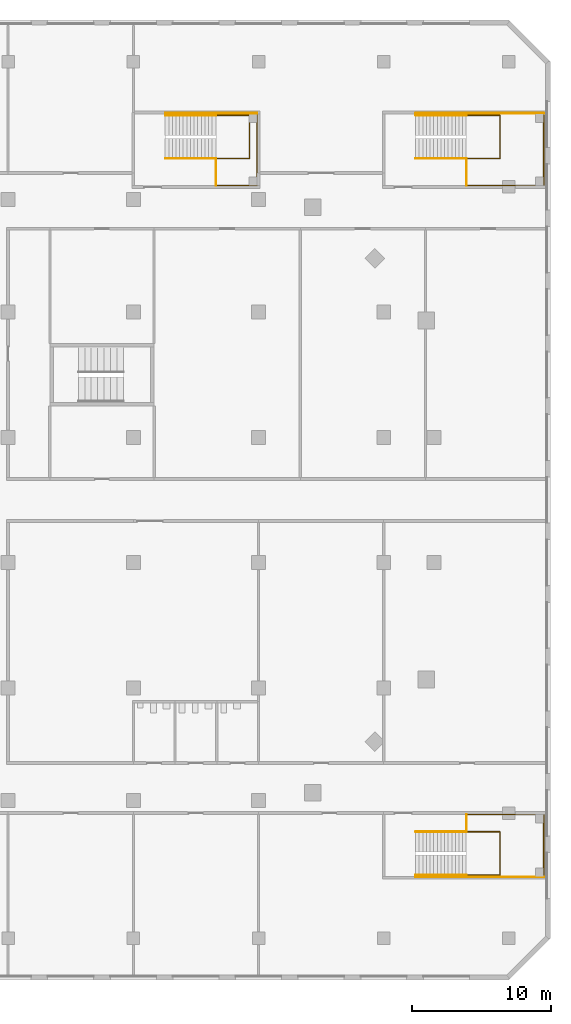
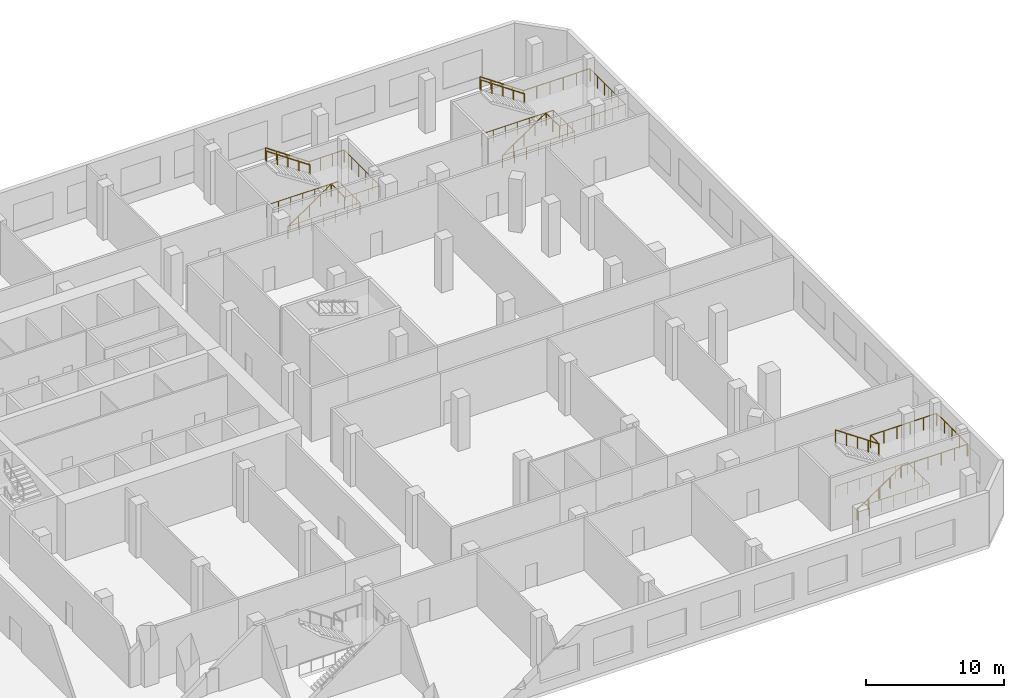
# One storey, part 22 of 23: 18 railings.
"""IFC4 building model written with IfcOpenShell, lengths in metres."""

import ifcopenshell
import ifcopenshell.guid

model = None  # the IFC model being written
_history = None  # IfcOwnerHistory: only IFC2X3 demands one
_inside = {}  # id of a spatial element -> (the spatial element, [elements in it])
_under = {}  # id of a project, library or spatial element -> (it, [spatial elements below it])
_declared = {}  # id of a project -> (the project, [libraries it declares])
_typed = {}  # id of a type object -> (the type object, [elements of that type])
_made_of = {}  # id of a material, layer set ... -> (it, [elements and type objects made of it])


def new_model(schema):
    """Start an empty IFC model of exactly this schema.

    Asked for "IFC4X3", IfcOpenShell would pick the latest addendum, in which some entities
    have other attributes; the version numbers below select the first issue.
    IFC2X3 requires an IfcOwnerHistory on every rooted entity: one is made here for all.
    """
    global model, _history
    if schema == "IFC4X3":
        model = ifcopenshell.file(schema_version=(4, 3, 0, 0))
    else:
        model = ifcopenshell.file(schema=schema)
    _inside.clear()
    _under.clear()
    _declared.clear()
    _typed.clear()
    _made_of.clear()
    _history = None
    if model.schema == "IFC2X3":
        org = make("IfcOrganization", Name="unknown")
        user = make(
            "IfcPersonAndOrganization",
            ThePerson=make("IfcPerson", FamilyName="unknown"),
            TheOrganization=org,
        )
        app = make(
            "IfcApplication",
            ApplicationDeveloper=org,
            Version="unknown",
            ApplicationFullName="unknown",
            ApplicationIdentifier="unknown",
        )
        _history = make(
            "IfcOwnerHistory",
            OwningUser=user,
            OwningApplication=app,
            ChangeAction="ADDED",
            CreationDate=0,
        )
    return model


def make(cls, **values):
    """One entity of the class cls with the attributes given. An attribute that is None is left unset."""
    return model.create_entity(
        cls, **{name: value for name, value in values.items() if value is not None}
    )


def rooted(cls, **values):
    """An entity with a GlobalId (a new one), such as an element, a storey or a relation."""
    return make(cls, GlobalId=ifcopenshell.guid.new(), OwnerHistory=_history, **values)


def si_unit(unit_type, name, prefix=None):
    """IfcSIUnit, for example si_unit("LENGTHUNIT", "METRE", prefix="MILLI")."""
    return make("IfcSIUnit", UnitType=unit_type, Prefix=prefix, Name=name)


def assignment(units):
    """IfcUnitAssignment: the units of a project."""
    return None if units is None else make("IfcUnitAssignment", Units=units)


def point(xyz):
    """IfcCartesianPoint."""
    return None if xyz is None else make("IfcCartesianPoint", Coordinates=xyz)


def direction(xyz):
    """IfcDirection."""
    return None if xyz is None else make("IfcDirection", DirectionRatios=xyz)


def frame(location, z_axis=None, x_axis=None):
    """IfcAxis2Placement3D, a coordinate frame: its origin and axes. An axis left out is left unset."""
    return make(
        "IfcAxis2Placement3D",
        Location=point(location),
        Axis=direction(z_axis),
        RefDirection=direction(x_axis),
    )


def frame_2d(location, x_axis=None):
    """IfcAxis2Placement2D, a coordinate frame in the plane: its origin and x axis."""
    return make(
        "IfcAxis2Placement2D", Location=point(location), RefDirection=direction(x_axis)
    )


def origin():
    """The frame at (0, 0, 0) with its axes left unset."""
    return frame((0.0, 0.0, 0.0))


def origin_2d():
    """The frame at (0, 0) in the plane with its x axis left unset."""
    return frame_2d((0.0, 0.0))


def place(relative_to, where):
    """IfcLocalPlacement: puts the frame where relative to a parent placement (None: the world)."""
    return make(
        "IfcLocalPlacement", PlacementRelTo=relative_to, RelativePlacement=where
    )


def context(
    kind, dimensions, precision=None, world=None, true_north=None, identifier=None
):
    """IfcGeometricRepresentationContext, for example the 3D "Model" context."""
    return make(
        "IfcGeometricRepresentationContext",
        ContextIdentifier=identifier,
        ContextType=kind,
        CoordinateSpaceDimension=dimensions,
        Precision=precision,
        WorldCoordinateSystem=world,
        TrueNorth=true_north,
    )


def subcontext(parent, identifier, kind, view, scale=None):
    """IfcGeometricRepresentationSubContext, for example "Body" below "Model"."""
    return make(
        "IfcGeometricRepresentationSubContext",
        ContextIdentifier=identifier,
        ContextType=kind,
        ParentContext=parent,
        TargetScale=scale,
        TargetView=view,
    )


def project(units=None, contexts=None):
    """IfcProject with its units and contexts."""
    return rooted(
        "IfcProject",
        Name="project",
        RepresentationContexts=contexts,
        UnitsInContext=assignment(units),
    )


def spatial(cls, under=None, at=None, **own):
    """A site, building, storey or space (cls), placed at a placement, below another one or the project."""
    s = rooted(cls, ObjectPlacement=at, **own)
    if under is not None:
        _under.setdefault(under.id(), (under, []))[1].append(s)
    return s


def profile(cls, at=None, kind="AREA", **sizes):
    """A parametric profile (cls). Its sizes go by their IFC names, for example OverallWidth=200.0."""
    return make(cls, ProfileType=kind, Position=at, **sizes)


def circle(**sizes):
    """IfcCircleProfileDef."""
    return profile("IfcCircleProfileDef", **sizes)


def extrude(swept, where, along, depth):
    """IfcExtrudedAreaSolid: the profile swept, set in the frame where, extruded along a direction by depth."""
    return make(
        "IfcExtrudedAreaSolid",
        SweptArea=swept,
        Position=where,
        ExtrudedDirection=direction(along),
        Depth=depth,
    )


def shape(context_of_items, identifier, shape_type, items):
    """IfcShapeRepresentation: the items that make up one representation, for example the "Body"."""
    return make(
        "IfcShapeRepresentation",
        ContextOfItems=context_of_items,
        RepresentationIdentifier=identifier,
        RepresentationType=shape_type,
        Items=items,
    )


def material(Name=None, Category=None):
    """IfcMaterial."""
    return make("IfcMaterial", Name=Name, Category=Category)


def made_of(thing, what):
    """Note that an element or type object is made of a material, layer set ...; save() writes the relation."""
    if what is not None:
        _made_of.setdefault(what.id(), (what, []))[1].append(thing)
    return thing


def type_object(cls, material=None, **own):
    """A type object (cls), such as IfcWallType, which elements share."""
    return made_of(rooted(cls, **own), material)


def element(
    cls,
    number,
    at=None,
    inside=None,
    cuts=None,
    type_object=None,
    material=None,
    context=None,
    identifier="Body",
    shape_type=None,
    held_by="IfcProductDefinitionShape",
    body=None,
    shapes=None,
    **own,
):
    """One element of the class cls, such as IfcWall. Its Tag is "e" and its number.

    at: its placement. inside: the storey or other place that contains it. cuts: it is an
    opening in that element (IfcRelVoidsElement). A single representation is given by context,
    identifier, shape_type and body (its items); several are given by shapes. held_by: the class
    of the entity that holds the representations. save() writes the other relations.
    """
    e = rooted(cls, Tag="e%d" % number, ObjectPlacement=at, **own)
    if body is not None:
        shapes = [shape(context, identifier, shape_type, body)]
    if shapes is not None:
        e.Representation = make(held_by, Representations=shapes)
    if inside is not None:
        _inside.setdefault(inside.id(), (inside, []))[1].append(e)
    if cuts is not None:
        rooted(
            "IfcRelVoidsElement", RelatingBuildingElement=cuts, RelatedOpeningElement=e
        )
    if type_object is not None:
        _typed.setdefault(type_object.id(), (type_object, []))[1].append(e)
    return made_of(e, material)


def aggregate(whole, parts):
    """IfcRelAggregates: a whole, such as a stair, and the parts it consists of."""
    return rooted("IfcRelAggregates", RelatingObject=whole, RelatedObjects=parts)


def save(model, path):
    """Write the relations noted so far, then the file.

    IfcRelAggregates (storeys below a building ...), IfcRelContainedInSpatialStructure (elements
    in a storey), IfcRelDefinesByType, IfcRelAssociatesMaterial and IfcRelDeclares: one each for
    every whole, place, type object, material and project.
    """
    for whole, parts in _under.values():
        aggregate(whole, parts)
    for where, things in _inside.values():
        rooted(
            "IfcRelContainedInSpatialStructure",
            RelatedElements=things,
            RelatingStructure=where,
        )
    for kind, things in _typed.values():
        rooted("IfcRelDefinesByType", RelatedObjects=things, RelatingType=kind)
    for what, things in _made_of.values():
        rooted("IfcRelAssociatesMaterial", RelatedObjects=things, RelatingMaterial=what)
    for by, libraries in _declared.values():
        rooted("IfcRelDeclares", RelatingContext=by, RelatedDefinitions=libraries)
    model.write(path)


model = new_model("IFC4")

# Units and contexts
model_context = context("Model", 3, precision=1e-05, world=origin(), true_north=direction((0.0, 1.0)))
body_context = subcontext(model_context, "Body", "Model", "MODEL_VIEW")
ifc_project = project(units=[si_unit("LENGTHUNIT", "METRE"), si_unit("AREAUNIT", "SQUARE_METRE"), si_unit("VOLUMEUNIT", "CUBIC_METRE"), si_unit("PLANEANGLEUNIT", "RADIAN"), si_unit("MASSUNIT", "GRAM", prefix="KILO")], contexts=[model_context])

# Site, building, storey
site_placement = place(None, origin())
site = spatial("IfcSite", under=ifc_project, at=site_placement, CompositionType="ELEMENT")
building_placement = place(site_placement, origin())
building = spatial("IfcBuilding", under=site, at=building_placement, Name="Cinnabar Reach Civic Tower", CompositionType="ELEMENT")
storey_placement = place(building_placement, frame((0.0, 0.0, 6.0)))
storey = spatial("IfcBuildingStorey", under=building, at=storey_placement, Name="L01", CompositionType="ELEMENT", Elevation=6.0)

# Railings
ifc_material_1 = material(Name="Stainless steel and glass", Category="steel")
railing_type_1 = type_object("IfcRailingType", Name="Podium guard 1100", PredefinedType="GUARDRAIL", material=ifc_material_1)
railing_1_placement = place(storey_placement, frame((59.94, -1.35, 2.5)))
element("IfcRailing", 1, at=railing_1_placement, inside=storey, type_object=railing_type_1, Name="Stair guard PS4 L01", PredefinedType="GUARDRAIL", context=body_context, shape_type="SweptSolid", body=[
    extrude(circle(Radius=0.024, at=origin_2d()), frame((0.0, 0.0, 1.076), z_axis=(-0.824306135323, 0.0, 0.566144323711), x_axis=(0.0, -1.0, 0.0)), (0.0, 0.0, 1.0), 4.4158),
    extrude(circle(Radius=0.021, at=origin_2d()), origin(), (0.0, 0.0, 1.0), 1.052),
    extrude(circle(Radius=0.021, at=origin_2d()), frame((-0.91, 0.0, 0.625)), (0.0, 0.0, 1.0), 1.052),
    extrude(circle(Radius=0.021, at=origin_2d()), frame((-1.82, 0.0, 1.25)), (0.0, 0.0, 1.0), 1.052),
    extrude(circle(Radius=0.021, at=origin_2d()), frame((-2.73, 0.0, 1.875)), (0.0, 0.0, 1.0), 1.052),
    extrude(circle(Radius=0.021, at=origin_2d()), frame((-3.64, 0.0, 2.5)), (0.0, 0.0, 1.0), 1.052),
])
railing_2_placement = place(storey_placement, frame((59.94, -0.1, 2.5)))
element("IfcRailing", 2, at=railing_2_placement, inside=storey, type_object=railing_type_1, Name="Landing guard PS4 L01", PredefinedType="GUARDRAIL", context=body_context, shape_type="SweptSolid", body=[
    extrude(circle(Radius=0.024, at=origin_2d()), frame((0.0, 0.0, 1.076), z_axis=(1.0, 0.0, 0.0), x_axis=(0.0, 1.0, 0.0)), (0.0, 0.0, 1.0), 5.56),
    extrude(circle(Radius=0.024, at=origin_2d()), frame((5.56, 0.0, 1.076), z_axis=(0.0, -1.0, 0.0), x_axis=(1.0, 0.0, 0.0)), (0.0, 0.0, 1.0), 4.4),
    extrude(circle(Radius=0.021, at=origin_2d()), origin(), (0.0, 0.0, 1.0), 1.052),
    extrude(circle(Radius=0.021, at=origin_2d()), frame((1.112, 0.0, 0.0)), (0.0, 0.0, 1.0), 1.052),
    extrude(circle(Radius=0.021, at=origin_2d()), frame((2.224, 0.0, 0.0)), (0.0, 0.0, 1.0), 1.052),
    extrude(circle(Radius=0.021, at=origin_2d()), frame((3.336, 0.0, 0.0)), (0.0, 0.0, 1.0), 1.052),
    extrude(circle(Radius=0.021, at=origin_2d()), frame((4.448, 0.0, 0.0)), (0.0, 0.0, 1.0), 1.052),
    extrude(circle(Radius=0.021, at=origin_2d()), frame((5.56, 0.0, 0.0)), (0.0, 0.0, 1.0), 1.052),
    extrude(circle(Radius=0.021, at=origin_2d()), frame((5.56, -1.1, 0.0)), (0.0, 0.0, 1.0), 1.052),
    extrude(circle(Radius=0.021, at=origin_2d()), frame((5.56, -2.2, 0.0)), (0.0, 0.0, 1.0), 1.052),
    extrude(circle(Radius=0.021, at=origin_2d()), frame((5.56, -3.3, 0.0)), (0.0, 0.0, 1.0), 1.052),
    extrude(circle(Radius=0.021, at=origin_2d()), frame((5.56, -4.4, 0.0)), (0.0, 0.0, 1.0), 1.052),
])
railing_3_placement = place(storey_placement, frame((59.94, -1.3, 2.5)))
element("IfcRailing", 3, at=railing_3_placement, inside=storey, type_object=railing_type_1, Name="Landing guard PS4 L01 inner", PredefinedType="GUARDRAIL", context=body_context, shape_type="SweptSolid", body=[
    extrude(circle(Radius=0.024, at=origin_2d()), frame((0.0, 0.0, 1.076), z_axis=(0.0, 1.0, 0.0), x_axis=(-1.0, 0.0, 0.0)), (0.0, 0.0, 1.0), 1.2),
    extrude(circle(Radius=0.021, at=origin_2d()), origin(), (0.0, 0.0, 1.0), 1.052),
    extrude(circle(Radius=0.021, at=origin_2d()), frame((0.0, 1.2, 0.0)), (0.0, 0.0, 1.0), 1.052),
])
railing_4_placement = place(storey_placement, frame((56.3, -4.6, 0.0)))
element("IfcRailing", 4, at=railing_4_placement, inside=storey, type_object=railing_type_1, Name="Stair wall side guard PS4 L01", PredefinedType="GUARDRAIL", context=body_context, shape_type="SweptSolid", body=[
    extrude(circle(Radius=0.024, at=origin_2d()), frame((0.0, 0.0, 1.076), z_axis=(0.824306135323, 0.0, 0.566144323711), x_axis=(0.0, 1.0, 0.0)), (0.0, 0.0, 1.0), 4.4158),
    extrude(circle(Radius=0.024, at=origin_2d()), frame((3.64, 0.0, 3.576), z_axis=(1.0, 0.0, 0.0), x_axis=(0.0, 1.0, 0.0)), (0.0, 0.0, 1.0), 5.56),
    extrude(circle(Radius=0.021, at=origin_2d()), origin(), (0.0, 0.0, 1.0), 1.052),
    extrude(circle(Radius=0.021, at=origin_2d()), frame((0.91, 0.0, 0.625)), (0.0, 0.0, 1.0), 1.052),
    extrude(circle(Radius=0.021, at=origin_2d()), frame((1.82, 0.0, 1.25)), (0.0, 0.0, 1.0), 1.052),
    extrude(circle(Radius=0.021, at=origin_2d()), frame((2.73, 0.0, 1.875)), (0.0, 0.0, 1.0), 1.052),
    extrude(circle(Radius=0.021, at=origin_2d()), frame((3.64, 0.0, 2.5)), (0.0, 0.0, 1.0), 1.052),
    extrude(circle(Radius=0.021, at=origin_2d()), frame((4.752, 0.0, 2.5)), (0.0, 0.0, 1.0), 1.052),
    extrude(circle(Radius=0.021, at=origin_2d()), frame((5.864, 0.0, 2.5)), (0.0, 0.0, 1.0), 1.052),
    extrude(circle(Radius=0.021, at=origin_2d()), frame((6.976, 0.0, 2.5)), (0.0, 0.0, 1.0), 1.052),
    extrude(circle(Radius=0.021, at=origin_2d()), frame((8.088, 0.0, 2.5)), (0.0, 0.0, 1.0), 1.052),
    extrude(circle(Radius=0.021, at=origin_2d()), frame((9.2, 0.0, 2.5)), (0.0, 0.0, 1.0), 1.052),
])
railing_5_placement = place(storey_placement, frame((56.3, -4.45, 0.0)))
element("IfcRailing", 5, at=railing_5_placement, inside=storey, type_object=railing_type_1, Name="Stair well guard PS4 L01", PredefinedType="GUARDRAIL", context=body_context, shape_type="SweptSolid", body=[
    extrude(circle(Radius=0.024, at=origin_2d()), frame((0.0, 0.0, 1.076), z_axis=(1.0, 0.0, 0.0), x_axis=(0.0, 1.0, 0.0)), (0.0, 0.0, 1.0), 6.05),
    extrude(circle(Radius=0.024, at=origin_2d()), frame((6.05, 0.0, 1.076), z_axis=(0.0, 1.0, 0.0), x_axis=(-1.0, 0.0, 0.0)), (0.0, 0.0, 1.0), 3.1),
    extrude(circle(Radius=0.024, at=origin_2d()), frame((6.05, 3.1, 1.076), z_axis=(-1.0, 0.0, 0.0), x_axis=(0.0, -1.0, 0.0)), (0.0, 0.0, 1.0), 6.05),
    extrude(circle(Radius=0.021, at=origin_2d()), origin(), (0.0, 0.0, 1.0), 1.052),
    extrude(circle(Radius=0.021, at=origin_2d()), frame((1.0083, 0.0, 0.0)), (0.0, 0.0, 1.0), 1.052),
    extrude(circle(Radius=0.021, at=origin_2d()), frame((2.0167, 0.0, 0.0)), (0.0, 0.0, 1.0), 1.052),
    extrude(circle(Radius=0.021, at=origin_2d()), frame((3.025, 0.0, 0.0)), (0.0, 0.0, 1.0), 1.052),
    extrude(circle(Radius=0.021, at=origin_2d()), frame((4.0333, 0.0, 0.0)), (0.0, 0.0, 1.0), 1.052),
    extrude(circle(Radius=0.021, at=origin_2d()), frame((5.0417, 0.0, 0.0)), (0.0, 0.0, 1.0), 1.052),
    extrude(circle(Radius=0.021, at=origin_2d()), frame((6.05, 0.0, 0.0)), (0.0, 0.0, 1.0), 1.052),
    extrude(circle(Radius=0.021, at=origin_2d()), frame((6.05, 1.0333, 0.0)), (0.0, 0.0, 1.0), 1.052),
    extrude(circle(Radius=0.021, at=origin_2d()), frame((6.05, 2.0667, 0.0)), (0.0, 0.0, 1.0), 1.052),
    extrude(circle(Radius=0.021, at=origin_2d()), frame((6.05, 3.1, 0.0)), (0.0, 0.0, 1.0), 1.052),
    extrude(circle(Radius=0.021, at=origin_2d()), frame((5.0417, 3.1, 0.0)), (0.0, 0.0, 1.0), 1.052),
    extrude(circle(Radius=0.021, at=origin_2d()), frame((4.0333, 3.1, 0.0)), (0.0, 0.0, 1.0), 1.052),
    extrude(circle(Radius=0.021, at=origin_2d()), frame((3.025, 3.1, 0.0)), (0.0, 0.0, 1.0), 1.052),
    extrude(circle(Radius=0.021, at=origin_2d()), frame((2.0167, 3.1, 0.0)), (0.0, 0.0, 1.0), 1.052),
    extrude(circle(Radius=0.021, at=origin_2d()), frame((1.0083, 3.1, 0.0)), (0.0, 0.0, 1.0), 1.052),
    extrude(circle(Radius=0.021, at=origin_2d()), frame((0.0, 3.1, 0.0)), (0.0, 0.0, 1.0), 1.052),
])
railing_6_placement = place(storey_placement, frame((56.3, 47.05, 0.0)))
element("IfcRailing", 6, at=railing_6_placement, inside=storey, type_object=railing_type_1, Name="Stair guard PS5 L01", PredefinedType="GUARDRAIL", context=body_context, shape_type="SweptSolid", body=[
    extrude(circle(Radius=0.024, at=origin_2d()), frame((0.0, 0.0, 1.076), z_axis=(0.824306135323, 0.0, 0.566144323711), x_axis=(0.0, 1.0, 0.0)), (0.0, 0.0, 1.0), 4.4158),
    extrude(circle(Radius=0.021, at=origin_2d()), origin(), (0.0, 0.0, 1.0), 1.052),
    extrude(circle(Radius=0.021, at=origin_2d()), frame((0.91, 0.0, 0.625)), (0.0, 0.0, 1.0), 1.052),
    extrude(circle(Radius=0.021, at=origin_2d()), frame((1.82, 0.0, 1.25)), (0.0, 0.0, 1.0), 1.052),
    extrude(circle(Radius=0.021, at=origin_2d()), frame((2.73, 0.0, 1.875)), (0.0, 0.0, 1.0), 1.052),
    extrude(circle(Radius=0.021, at=origin_2d()), frame((3.64, 0.0, 2.5)), (0.0, 0.0, 1.0), 1.052),
])
railing_7_placement = place(storey_placement, frame((59.94, 45.1, 2.5)))
element("IfcRailing", 7, at=railing_7_placement, inside=storey, type_object=railing_type_1, Name="Landing guard PS5 L01", PredefinedType="GUARDRAIL", context=body_context, shape_type="SweptSolid", body=[
    extrude(circle(Radius=0.024, at=origin_2d()), frame((0.0, 0.0, 1.076), z_axis=(1.0, 0.0, 0.0), x_axis=(0.0, 1.0, 0.0)), (0.0, 0.0, 1.0), 5.56),
    extrude(circle(Radius=0.024, at=origin_2d()), frame((5.56, 0.0, 1.076), z_axis=(0.0, 1.0, 0.0), x_axis=(-1.0, 0.0, 0.0)), (0.0, 0.0, 1.0), 5.1),
    extrude(circle(Radius=0.021, at=origin_2d()), origin(), (0.0, 0.0, 1.0), 1.052),
    extrude(circle(Radius=0.021, at=origin_2d()), frame((1.112, 0.0, 0.0)), (0.0, 0.0, 1.0), 1.052),
    extrude(circle(Radius=0.021, at=origin_2d()), frame((2.224, 0.0, 0.0)), (0.0, 0.0, 1.0), 1.052),
    extrude(circle(Radius=0.021, at=origin_2d()), frame((3.336, 0.0, 0.0)), (0.0, 0.0, 1.0), 1.052),
    extrude(circle(Radius=0.021, at=origin_2d()), frame((4.448, 0.0, 0.0)), (0.0, 0.0, 1.0), 1.052),
    extrude(circle(Radius=0.021, at=origin_2d()), frame((5.56, 0.0, 0.0)), (0.0, 0.0, 1.0), 1.052),
    extrude(circle(Radius=0.021, at=origin_2d()), frame((5.56, 1.02, 0.0)), (0.0, 0.0, 1.0), 1.052),
    extrude(circle(Radius=0.021, at=origin_2d()), frame((5.56, 2.04, 0.0)), (0.0, 0.0, 1.0), 1.052),
    extrude(circle(Radius=0.021, at=origin_2d()), frame((5.56, 3.06, 0.0)), (0.0, 0.0, 1.0), 1.052),
    extrude(circle(Radius=0.021, at=origin_2d()), frame((5.56, 4.08, 0.0)), (0.0, 0.0, 1.0), 1.052),
    extrude(circle(Radius=0.021, at=origin_2d()), frame((5.56, 5.1, 0.0)), (0.0, 0.0, 1.0), 1.052),
])
railing_8_placement = place(storey_placement, frame((59.94, 45.1, 2.5)))
element("IfcRailing", 8, at=railing_8_placement, inside=storey, type_object=railing_type_1, Name="Landing guard PS5 L01 inner", PredefinedType="GUARDRAIL", context=body_context, shape_type="SweptSolid", body=[
    extrude(circle(Radius=0.024, at=origin_2d()), frame((0.0, 0.0, 1.076), z_axis=(0.0, 1.0, 0.0), x_axis=(-1.0, 0.0, 0.0)), (0.0, 0.0, 1.0), 1.9),
    extrude(circle(Radius=0.021, at=origin_2d()), origin(), (0.0, 0.0, 1.0), 1.052),
    extrude(circle(Radius=0.021, at=origin_2d()), frame((0.0, 0.95, 0.0)), (0.0, 0.0, 1.0), 1.052),
    extrude(circle(Radius=0.021, at=origin_2d()), frame((0.0, 1.9, 0.0)), (0.0, 0.0, 1.0), 1.052),
])
railing_9_placement = place(storey_placement, frame((65.5, 50.3, 2.5)))
element("IfcRailing", 9, at=railing_9_placement, inside=storey, type_object=railing_type_1, Name="Stair wall side guard PS5 L01", PredefinedType="GUARDRAIL", context=body_context, shape_type="SweptSolid", body=[
    extrude(circle(Radius=0.024, at=origin_2d()), frame((0.0, 0.0, 1.076), z_axis=(-1.0, 0.0, 0.0), x_axis=(0.0, -1.0, 0.0)), (0.0, 0.0, 1.0), 5.56),
    extrude(circle(Radius=0.024, at=origin_2d()), frame((-5.56, 0.0, 1.076), z_axis=(-0.824306135323, 0.0, 0.566144323711), x_axis=(0.0, -1.0, 0.0)), (0.0, 0.0, 1.0), 4.4158),
    extrude(circle(Radius=0.021, at=origin_2d()), origin(), (0.0, 0.0, 1.0), 1.052),
    extrude(circle(Radius=0.021, at=origin_2d()), frame((-1.112, 0.0, 0.0)), (0.0, 0.0, 1.0), 1.052),
    extrude(circle(Radius=0.021, at=origin_2d()), frame((-2.224, 0.0, 0.0)), (0.0, 0.0, 1.0), 1.052),
    extrude(circle(Radius=0.021, at=origin_2d()), frame((-3.336, 0.0, 0.0)), (0.0, 0.0, 1.0), 1.052),
    extrude(circle(Radius=0.021, at=origin_2d()), frame((-4.448, 0.0, 0.0)), (0.0, 0.0, 1.0), 1.052),
    extrude(circle(Radius=0.021, at=origin_2d()), frame((-5.56, 0.0, 0.0)), (0.0, 0.0, 1.0), 1.052),
    extrude(circle(Radius=0.021, at=origin_2d()), frame((-6.47, 0.0, 0.625)), (0.0, 0.0, 1.0), 1.052),
    extrude(circle(Radius=0.021, at=origin_2d()), frame((-7.38, 0.0, 1.25)), (0.0, 0.0, 1.0), 1.052),
    extrude(circle(Radius=0.021, at=origin_2d()), frame((-8.29, 0.0, 1.875)), (0.0, 0.0, 1.0), 1.052),
    extrude(circle(Radius=0.021, at=origin_2d()), frame((-9.2, 0.0, 2.5)), (0.0, 0.0, 1.0), 1.052),
])
railing_10_placement = place(storey_placement, frame((56.3, 47.05, 0.0)))
element("IfcRailing", 10, at=railing_10_placement, inside=storey, type_object=railing_type_1, Name="Stair well guard PS5 L01", PredefinedType="GUARDRAIL", context=body_context, shape_type="SweptSolid", body=[
    extrude(circle(Radius=0.024, at=origin_2d()), frame((0.0, 0.0, 1.076), z_axis=(1.0, 0.0, 0.0), x_axis=(0.0, 1.0, 0.0)), (0.0, 0.0, 1.0), 6.05),
    extrude(circle(Radius=0.024, at=origin_2d()), frame((6.05, 0.0, 1.076), z_axis=(0.0, 1.0, 0.0), x_axis=(-1.0, 0.0, 0.0)), (0.0, 0.0, 1.0), 3.1),
    extrude(circle(Radius=0.024, at=origin_2d()), frame((6.05, 3.1, 1.076), z_axis=(-1.0, 0.0, 0.0), x_axis=(0.0, -1.0, 0.0)), (0.0, 0.0, 1.0), 6.05),
    extrude(circle(Radius=0.021, at=origin_2d()), origin(), (0.0, 0.0, 1.0), 1.052),
    extrude(circle(Radius=0.021, at=origin_2d()), frame((1.0083, 0.0, 0.0)), (0.0, 0.0, 1.0), 1.052),
    extrude(circle(Radius=0.021, at=origin_2d()), frame((2.0167, 0.0, 0.0)), (0.0, 0.0, 1.0), 1.052),
    extrude(circle(Radius=0.021, at=origin_2d()), frame((3.025, 0.0, 0.0)), (0.0, 0.0, 1.0), 1.052),
    extrude(circle(Radius=0.021, at=origin_2d()), frame((4.0333, 0.0, 0.0)), (0.0, 0.0, 1.0), 1.052),
    extrude(circle(Radius=0.021, at=origin_2d()), frame((5.0417, 0.0, 0.0)), (0.0, 0.0, 1.0), 1.052),
    extrude(circle(Radius=0.021, at=origin_2d()), frame((6.05, 0.0, 0.0)), (0.0, 0.0, 1.0), 1.052),
    extrude(circle(Radius=0.021, at=origin_2d()), frame((6.05, 1.0333, 0.0)), (0.0, 0.0, 1.0), 1.052),
    extrude(circle(Radius=0.021, at=origin_2d()), frame((6.05, 2.0667, 0.0)), (0.0, 0.0, 1.0), 1.052),
    extrude(circle(Radius=0.021, at=origin_2d()), frame((6.05, 3.1, 0.0)), (0.0, 0.0, 1.0), 1.052),
    extrude(circle(Radius=0.021, at=origin_2d()), frame((5.0417, 3.1, 0.0)), (0.0, 0.0, 1.0), 1.052),
    extrude(circle(Radius=0.021, at=origin_2d()), frame((4.0333, 3.1, 0.0)), (0.0, 0.0, 1.0), 1.052),
    extrude(circle(Radius=0.021, at=origin_2d()), frame((3.025, 3.1, 0.0)), (0.0, 0.0, 1.0), 1.052),
    extrude(circle(Radius=0.021, at=origin_2d()), frame((2.0167, 3.1, 0.0)), (0.0, 0.0, 1.0), 1.052),
    extrude(circle(Radius=0.021, at=origin_2d()), frame((1.0083, 3.1, 0.0)), (0.0, 0.0, 1.0), 1.052),
    extrude(circle(Radius=0.021, at=origin_2d()), frame((0.0, 3.1, 0.0)), (0.0, 0.0, 1.0), 1.052),
])
railing_11_placement = place(storey_placement, frame((38.3, 47.05, 0.0)))
element("IfcRailing", 11, at=railing_11_placement, inside=storey, type_object=railing_type_1, Name="Stair guard PS6 L01", PredefinedType="GUARDRAIL", context=body_context, shape_type="SweptSolid", body=[
    extrude(circle(Radius=0.024, at=origin_2d()), frame((0.0, 0.0, 1.076), z_axis=(0.824306135323, 0.0, 0.566144323711), x_axis=(0.0, 1.0, 0.0)), (0.0, 0.0, 1.0), 4.4158),
    extrude(circle(Radius=0.021, at=origin_2d()), origin(), (0.0, 0.0, 1.0), 1.052),
    extrude(circle(Radius=0.021, at=origin_2d()), frame((0.91, 0.0, 0.625)), (0.0, 0.0, 1.0), 1.052),
    extrude(circle(Radius=0.021, at=origin_2d()), frame((1.82, 0.0, 1.25)), (0.0, 0.0, 1.0), 1.052),
    extrude(circle(Radius=0.021, at=origin_2d()), frame((2.73, 0.0, 1.875)), (0.0, 0.0, 1.0), 1.052),
    extrude(circle(Radius=0.021, at=origin_2d()), frame((3.64, 0.0, 2.5)), (0.0, 0.0, 1.0), 1.052),
])
railing_12_placement = place(storey_placement, frame((41.94, 45.1, 2.5)))
element("IfcRailing", 12, at=railing_12_placement, inside=storey, type_object=railing_type_1, Name="Landing guard PS6 L01", PredefinedType="GUARDRAIL", context=body_context, shape_type="SweptSolid", body=[
    extrude(circle(Radius=0.024, at=origin_2d()), frame((0.0, 0.0, 1.076), z_axis=(1.0, 0.0, 0.0), x_axis=(0.0, 1.0, 0.0)), (0.0, 0.0, 1.0), 2.96),
    extrude(circle(Radius=0.024, at=origin_2d()), frame((2.96, 0.0, 1.076), z_axis=(0.0, 1.0, 0.0), x_axis=(-1.0, 0.0, 0.0)), (0.0, 0.0, 1.0), 5.1),
    extrude(circle(Radius=0.021, at=origin_2d()), origin(), (0.0, 0.0, 1.0), 1.052),
    extrude(circle(Radius=0.021, at=origin_2d()), frame((0.9867, 0.0, 0.0)), (0.0, 0.0, 1.0), 1.052),
    extrude(circle(Radius=0.021, at=origin_2d()), frame((1.9733, 0.0, 0.0)), (0.0, 0.0, 1.0), 1.052),
    extrude(circle(Radius=0.021, at=origin_2d()), frame((2.96, 0.0, 0.0)), (0.0, 0.0, 1.0), 1.052),
    extrude(circle(Radius=0.021, at=origin_2d()), frame((2.96, 1.02, 0.0)), (0.0, 0.0, 1.0), 1.052),
    extrude(circle(Radius=0.021, at=origin_2d()), frame((2.96, 2.04, 0.0)), (0.0, 0.0, 1.0), 1.052),
    extrude(circle(Radius=0.021, at=origin_2d()), frame((2.96, 3.06, 0.0)), (0.0, 0.0, 1.0), 1.052),
    extrude(circle(Radius=0.021, at=origin_2d()), frame((2.96, 4.08, 0.0)), (0.0, 0.0, 1.0), 1.052),
    extrude(circle(Radius=0.021, at=origin_2d()), frame((2.96, 5.1, 0.0)), (0.0, 0.0, 1.0), 1.052),
])
railing_13_placement = place(storey_placement, frame((41.94, 45.1, 2.5)))
element("IfcRailing", 13, at=railing_13_placement, inside=storey, type_object=railing_type_1, Name="Landing guard PS6 L01 inner", PredefinedType="GUARDRAIL", context=body_context, shape_type="SweptSolid", body=[
    extrude(circle(Radius=0.024, at=origin_2d()), frame((0.0, 0.0, 1.076), z_axis=(0.0, 1.0, 0.0), x_axis=(-1.0, 0.0, 0.0)), (0.0, 0.0, 1.0), 1.9),
    extrude(circle(Radius=0.021, at=origin_2d()), origin(), (0.0, 0.0, 1.0), 1.052),
    extrude(circle(Radius=0.021, at=origin_2d()), frame((0.0, 0.95, 0.0)), (0.0, 0.0, 1.0), 1.052),
    extrude(circle(Radius=0.021, at=origin_2d()), frame((0.0, 1.9, 0.0)), (0.0, 0.0, 1.0), 1.052),
])
railing_14_placement = place(storey_placement, frame((44.9, 50.3, 2.5)))
element("IfcRailing", 14, at=railing_14_placement, inside=storey, type_object=railing_type_1, Name="Stair wall side guard PS6 L01", PredefinedType="GUARDRAIL", context=body_context, shape_type="SweptSolid", body=[
    extrude(circle(Radius=0.024, at=origin_2d()), frame((0.0, 0.0, 1.076), z_axis=(-1.0, 0.0, 0.0), x_axis=(0.0, -1.0, 0.0)), (0.0, 0.0, 1.0), 2.96),
    extrude(circle(Radius=0.024, at=origin_2d()), frame((-2.96, 0.0, 1.076), z_axis=(-0.824306135323, 0.0, 0.566144323711), x_axis=(0.0, -1.0, 0.0)), (0.0, 0.0, 1.0), 4.4158),
    extrude(circle(Radius=0.021, at=origin_2d()), origin(), (0.0, 0.0, 1.0), 1.052),
    extrude(circle(Radius=0.021, at=origin_2d()), frame((-0.9867, 0.0, 0.0)), (0.0, 0.0, 1.0), 1.052),
    extrude(circle(Radius=0.021, at=origin_2d()), frame((-1.9733, 0.0, 0.0)), (0.0, 0.0, 1.0), 1.052),
    extrude(circle(Radius=0.021, at=origin_2d()), frame((-2.96, 0.0, 0.0)), (0.0, 0.0, 1.0), 1.052),
    extrude(circle(Radius=0.021, at=origin_2d()), frame((-3.87, 0.0, 0.625)), (0.0, 0.0, 1.0), 1.052),
    extrude(circle(Radius=0.021, at=origin_2d()), frame((-4.78, 0.0, 1.25)), (0.0, 0.0, 1.0), 1.052),
    extrude(circle(Radius=0.021, at=origin_2d()), frame((-5.69, 0.0, 1.875)), (0.0, 0.0, 1.0), 1.052),
    extrude(circle(Radius=0.021, at=origin_2d()), frame((-6.6, 0.0, 2.5)), (0.0, 0.0, 1.0), 1.052),
])
railing_15_placement = place(storey_placement, frame((38.3, 47.05, 0.0)))
element("IfcRailing", 15, at=railing_15_placement, inside=storey, type_object=railing_type_1, Name="Stair well guard PS6 L01", PredefinedType="GUARDRAIL", context=body_context, shape_type="SweptSolid", body=[
    extrude(circle(Radius=0.024, at=origin_2d()), frame((0.0, 0.0, 1.076), z_axis=(1.0, 0.0, 0.0), x_axis=(0.0, 1.0, 0.0)), (0.0, 0.0, 1.0), 6.05),
    extrude(circle(Radius=0.024, at=origin_2d()), frame((6.05, 0.0, 1.076), z_axis=(0.0, 1.0, 0.0), x_axis=(-1.0, 0.0, 0.0)), (0.0, 0.0, 1.0), 3.1),
    extrude(circle(Radius=0.024, at=origin_2d()), frame((6.05, 3.1, 1.076), z_axis=(-1.0, 0.0, 0.0), x_axis=(0.0, -1.0, 0.0)), (0.0, 0.0, 1.0), 6.05),
    extrude(circle(Radius=0.021, at=origin_2d()), origin(), (0.0, 0.0, 1.0), 1.052),
    extrude(circle(Radius=0.021, at=origin_2d()), frame((1.0083, 0.0, 0.0)), (0.0, 0.0, 1.0), 1.052),
    extrude(circle(Radius=0.021, at=origin_2d()), frame((2.0167, 0.0, 0.0)), (0.0, 0.0, 1.0), 1.052),
    extrude(circle(Radius=0.021, at=origin_2d()), frame((3.025, 0.0, 0.0)), (0.0, 0.0, 1.0), 1.052),
    extrude(circle(Radius=0.021, at=origin_2d()), frame((4.0333, 0.0, 0.0)), (0.0, 0.0, 1.0), 1.052),
    extrude(circle(Radius=0.021, at=origin_2d()), frame((5.0417, 0.0, 0.0)), (0.0, 0.0, 1.0), 1.052),
    extrude(circle(Radius=0.021, at=origin_2d()), frame((6.05, 0.0, 0.0)), (0.0, 0.0, 1.0), 1.052),
    extrude(circle(Radius=0.021, at=origin_2d()), frame((6.05, 1.0333, 0.0)), (0.0, 0.0, 1.0), 1.052),
    extrude(circle(Radius=0.021, at=origin_2d()), frame((6.05, 2.0667, 0.0)), (0.0, 0.0, 1.0), 1.052),
    extrude(circle(Radius=0.021, at=origin_2d()), frame((6.05, 3.1, 0.0)), (0.0, 0.0, 1.0), 1.052),
    extrude(circle(Radius=0.021, at=origin_2d()), frame((5.0417, 3.1, 0.0)), (0.0, 0.0, 1.0), 1.052),
    extrude(circle(Radius=0.021, at=origin_2d()), frame((4.0333, 3.1, 0.0)), (0.0, 0.0, 1.0), 1.052),
    extrude(circle(Radius=0.021, at=origin_2d()), frame((3.025, 3.1, 0.0)), (0.0, 0.0, 1.0), 1.052),
    extrude(circle(Radius=0.021, at=origin_2d()), frame((2.0167, 3.1, 0.0)), (0.0, 0.0, 1.0), 1.052),
    extrude(circle(Radius=0.021, at=origin_2d()), frame((1.0083, 3.1, 0.0)), (0.0, 0.0, 1.0), 1.052),
    extrude(circle(Radius=0.021, at=origin_2d()), frame((0.0, 3.1, 0.0)), (0.0, 0.0, 1.0), 1.052),
])
ifc_material_2 = material(Name="Stainless steel", Category="steel")
railing_type_2 = type_object("IfcRailingType", Name="Podium stair handrail 900", PredefinedType="HANDRAIL", material=ifc_material_2)
railing_16_placement = place(storey_placement, frame((56.3, -4.45, 0.0)))
element("IfcRailing", 16, at=railing_16_placement, inside=storey, type_object=railing_type_2, Name="Stair handrail PS4 L01", PredefinedType="HANDRAIL", context=body_context, shape_type="SweptSolid", body=[
    extrude(circle(Radius=0.024, at=origin_2d()), frame((0.0, 0.0, 0.876), z_axis=(0.824306135323, 0.0, 0.566144323711), x_axis=(0.0, 1.0, 0.0)), (0.0, 0.0, 1.0), 4.4158),
    extrude(circle(Radius=0.021, at=origin_2d()), origin(), (0.0, 0.0, 1.0), 0.852),
    extrude(circle(Radius=0.021, at=origin_2d()), frame((0.91, 0.0, 0.625)), (0.0, 0.0, 1.0), 0.852),
    extrude(circle(Radius=0.021, at=origin_2d()), frame((1.82, 0.0, 1.25)), (0.0, 0.0, 1.0), 0.852),
    extrude(circle(Radius=0.021, at=origin_2d()), frame((2.73, 0.0, 1.875)), (0.0, 0.0, 1.0), 0.852),
    extrude(circle(Radius=0.021, at=origin_2d()), frame((3.64, 0.0, 2.5)), (0.0, 0.0, 1.0), 0.852),
])
for number, where, name in (
    (17, (59.94, 50.15, 2.5), "Stair handrail PS5 L01"),
    (18, (41.94, 50.15, 2.5), "Stair handrail PS6 L01"),
):
    element("IfcRailing", number, at=place(storey_placement, frame(where)), inside=storey, type_object=railing_type_2, Name=name, PredefinedType="HANDRAIL", context=body_context, shape_type="SweptSolid", body=[
        extrude(circle(Radius=0.024, at=origin_2d()), frame((0.0, 0.0, 0.876), z_axis=(-0.824306135323, 0.0, 0.566144323711), x_axis=(0.0, -1.0, 0.0)), (0.0, 0.0, 1.0), 4.4158),
        extrude(circle(Radius=0.021, at=origin_2d()), origin(), (0.0, 0.0, 1.0), 0.852),
        extrude(circle(Radius=0.021, at=origin_2d()), frame((-0.91, 0.0, 0.625)), (0.0, 0.0, 1.0), 0.852),
        extrude(circle(Radius=0.021, at=origin_2d()), frame((-1.82, 0.0, 1.25)), (0.0, 0.0, 1.0), 0.852),
        extrude(circle(Radius=0.021, at=origin_2d()), frame((-2.73, 0.0, 1.875)), (0.0, 0.0, 1.0), 0.852),
        extrude(circle(Radius=0.021, at=origin_2d()), frame((-3.64, 0.0, 2.5)), (0.0, 0.0, 1.0), 0.852),
    ])

save(model, "model.ifc")
